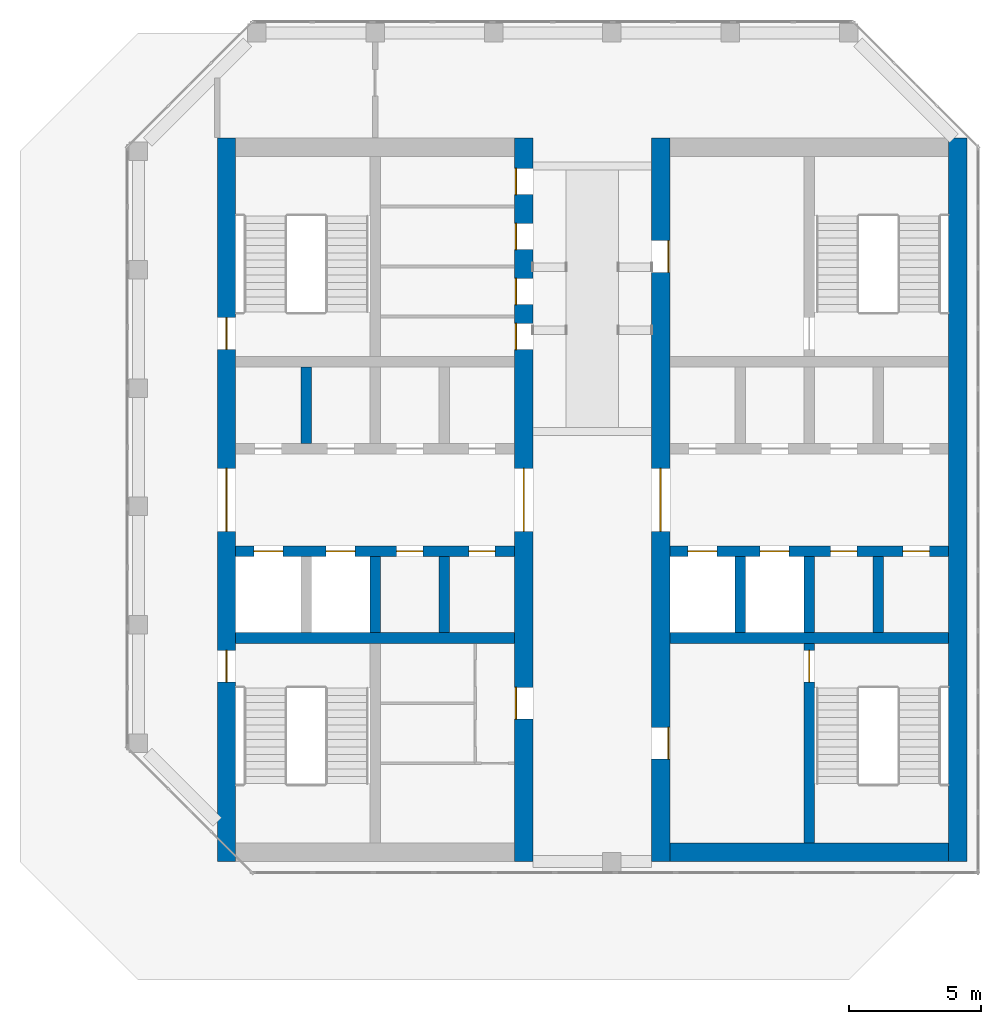
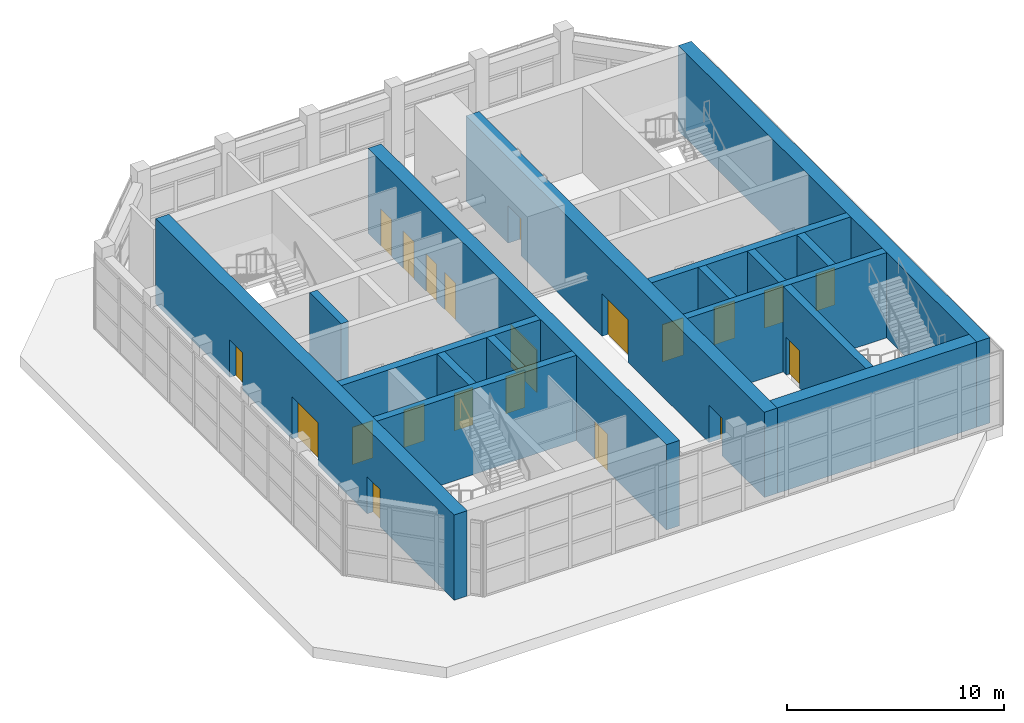
# One storey, part 10 of 13: 21 doors, 16 walls, 21 openings.
"""IFC4 building model written with IfcOpenShell, lengths in metres."""

from ifc_helpers import new_model, si_unit, direction, frame, frame_2d, origin, place, context, subcontext, project, spatial, rectangle, extrude, material, layer, layer_set, type_object, element, fill, save


model = new_model("IFC4")

# Units and contexts
model_context = context("Model", 3, precision=1e-05, world=origin(), true_north=direction((0.0, 1.0)))
body_context = subcontext(model_context, "Body", "Model", "MODEL_VIEW")
ifc_project = project(units=[si_unit("LENGTHUNIT", "METRE"), si_unit("AREAUNIT", "SQUARE_METRE"), si_unit("VOLUMEUNIT", "CUBIC_METRE"), si_unit("PLANEANGLEUNIT", "RADIAN"), si_unit("MASSUNIT", "GRAM", prefix="KILO")], contexts=[model_context])

# Site, building, storey
site_placement = place(None, origin())
site = spatial("IfcSite", under=ifc_project, at=site_placement, CompositionType="ELEMENT")
building_placement = place(site_placement, origin())
building = spatial("IfcBuilding", under=site, at=building_placement, Name="Corbel Stack Research Tower", CompositionType="ELEMENT")
storey_placement = place(building_placement, frame((0.0, 0.0, 311.800048828125)))
storey = spatial("IfcBuildingStorey", under=building, at=storey_placement, Name="L70", CompositionType="ELEMENT", Elevation=311.800048828125)

# Wall
ifc_material_1 = material(Name="Concrete C60/75", Category="concrete")
ifc_layer_1 = layer(ifc_material_1, 0.39990234375)
ifc_layer_set_1 = layer_set([ifc_layer_1], Name="Concrete C60/75")
wall_type_1 = type_object("IfcWallType", Name="CW-400-60", PredefinedType="SHEAR", material=ifc_layer_set_1)
wall_1_placement = place(storey_placement, frame((-9.800048828125, -0.5, 0.0), z_axis=(0.0, 0.0, 1.0), x_axis=(1.0, 0.0, 0.0)))
element("IfcWall", 1, at=wall_1_placement, inside=storey, type_object=wall_type_1, Name="West core wall, south row back L70", PredefinedType="SHEAR", context=body_context, shape_type="SweptSolid", body=[
    extrude(rectangle(XDim=10.60009765625, YDim=0.39990234375, at=frame_2d((5.300048828125, 0.0))), origin(), (0.0, 0.0, 1.0), 4.800048828125),
])

# Wall, openings, doors
wall_2_placement = place(storey_placement, frame((-9.800048828125, 2.800048828125, 0.0), z_axis=(0.0, 0.0, 1.0), x_axis=(1.0, 0.0, 0.0)))
wall_2 = element("IfcWall", 2, at=wall_2_placement, inside=storey, type_object=wall_type_1, Name="West core wall, lobby south L70", PredefinedType="SHEAR", context=body_context, shape_type="SweptSolid", body=[
    extrude(rectangle(XDim=10.60009765625, YDim=0.39990234375, at=frame_2d((5.300048828125, 0.0))), origin(), (0.0, 0.0, 1.0), 4.800048828125),
])
opening_1_placement = place(wall_2_placement, frame((0.6875, 0.0, 0.0)))
opening_1 = element("IfcOpeningElement", 3, at=opening_1_placement, cuts=wall_2, Name="Opening LD-FS1", PredefinedType="OPENING", context=body_context, shape_type="SweptSolid", body=[
    extrude(rectangle(XDim=1.10009765625, YDim=2.10009765625, at=frame_2d((0.550048828125, 1.050048828125))), frame((0.0, 0.2099609375, 0.0), z_axis=(0.0, -1.0, 0.0), x_axis=(1.0, 0.0, 0.0)), (0.0, 0.0, 1.0), 0.419921875),
])
opening_2_placement = place(wall_2_placement, frame((3.4375, 0.0, 0.0)))
opening_2 = element("IfcOpeningElement", 4, at=opening_2_placement, cuts=wall_2, Name="Opening LD-GL1", PredefinedType="OPENING", context=body_context, shape_type="SweptSolid", body=[
    extrude(rectangle(XDim=1.10009765625, YDim=2.10009765625, at=frame_2d((0.550048828125, 1.050048828125))), frame((0.0, 0.2099609375, 0.0), z_axis=(0.0, -1.0, 0.0), x_axis=(1.0, 0.0, 0.0)), (0.0, 0.0, 1.0), 0.419921875),
])
opening_3_placement = place(wall_2_placement, frame((6.112548828125, 0.0, 0.0)))
opening_3 = element("IfcOpeningElement", 5, at=opening_3_placement, cuts=wall_2, Name="Opening CR-W66-S3", PredefinedType="OPENING", context=body_context, shape_type="SweptSolid", body=[
    extrude(rectangle(XDim=1.0, YDim=2.10009765625, at=frame_2d((0.5, 1.050048828125))), frame((0.0, 0.2099609375, 0.0), z_axis=(0.0, -1.0, 0.0), x_axis=(1.0, 0.0, 0.0)), (0.0, 0.0, 1.0), 0.419921875),
])
opening_4_placement = place(wall_2_placement, frame((8.862548828125, 0.0, 0.0)))
opening_4 = element("IfcOpeningElement", 6, at=opening_4_placement, cuts=wall_2, Name="Opening CR-W66-S4", PredefinedType="OPENING", context=body_context, shape_type="SweptSolid", body=[
    extrude(rectangle(XDim=1.0, YDim=2.10009765625, at=frame_2d((0.5, 1.050048828125))), frame((0.0, 0.2099609375, 0.0), z_axis=(0.0, -1.0, 0.0), x_axis=(1.0, 0.0, 0.0)), (0.0, 0.0, 1.0), 0.419921875),
])
ifc_material_2 = material(Name="Stainless steel landing door", Category="steel")
door_type_1 = type_object("IfcDoorType", Name="Lift landing door 1100 x 2100", OperationType="DOUBLE_DOOR_SLIDING", PredefinedType="DOOR", material=ifc_material_2)
door_1_placement = place(opening_1_placement, origin())
door_1 = element("IfcDoor", 7, at=door_1_placement, inside=storey, type_object=door_type_1, Name="Landing door FS1", OperationType="DOUBLE_DOOR_SLIDING", OverallHeight=2.10009765625, OverallWidth=1.10009765625, PredefinedType="DOOR", context=body_context, shape_type="SweptSolid", body=[
    extrude(rectangle(XDim=1.10009765625, YDim=2.10009765625, at=frame_2d((0.550048828125, 1.050048828125))), frame((0.0, 0.02490234375, 0.0), z_axis=(0.0, -1.0, 0.0), x_axis=(1.0, 0.0, 0.0)), (0.0, 0.0, 1.0), 0.050048828125),
])
fill(opening_1, door_1)
door_2_placement = place(opening_2_placement, origin())
door_2 = element("IfcDoor", 8, at=door_2_placement, inside=storey, type_object=door_type_1, Name="Landing door GL1", OperationType="DOUBLE_DOOR_SLIDING", OverallHeight=2.10009765625, OverallWidth=1.10009765625, PredefinedType="DOOR", context=body_context, shape_type="SweptSolid", body=[
    extrude(rectangle(XDim=1.10009765625, YDim=2.10009765625, at=frame_2d((0.550048828125, 1.050048828125))), frame((0.0, 0.02490234375, 0.0), z_axis=(0.0, -1.0, 0.0), x_axis=(1.0, 0.0, 0.0)), (0.0, 0.0, 1.0), 0.050048828125),
])
fill(opening_2, door_2)
ifc_material_3 = material(Name="Painted steel door", Category="steel")
door_type_2 = type_object("IfcDoorType", Name="Service door 1000 x 2100 FD60 left hand", OperationType="SINGLE_SWING_LEFT", PredefinedType="DOOR", material=ifc_material_3)
door_3_placement = place(opening_3_placement, origin())
door_3 = element("IfcDoor", 9, at=door_3_placement, inside=storey, type_object=door_type_2, Name="Mechanical room door W core", OperationType="SINGLE_SWING_LEFT", OverallHeight=2.10009765625, OverallWidth=1.0, PredefinedType="DOOR", context=body_context, shape_type="SweptSolid", body=[
    extrude(rectangle(XDim=1.0, YDim=2.10009765625, at=frame_2d((0.5, 1.050048828125))), frame((0.0, 0.02490234375, 0.0), z_axis=(0.0, -1.0, 0.0), x_axis=(1.0, 0.0, 0.0)), (0.0, 0.0, 1.0), 0.050048828125),
])
fill(opening_3, door_3)
ifc_material_4 = material(Name="Painted steel door", Category="steel")
door_type_3 = type_object("IfcDoorType", Name="Service door 1000 x 2100 FD60 right hand", OperationType="SINGLE_SWING_RIGHT", PredefinedType="DOOR", material=ifc_material_4)
door_4_placement = place(opening_4_placement, origin())
door_4 = element("IfcDoor", 10, at=door_4_placement, inside=storey, type_object=door_type_3, Name="Mechanical room door W core", OperationType="SINGLE_SWING_RIGHT", OverallHeight=2.10009765625, OverallWidth=1.0, PredefinedType="DOOR", context=body_context, shape_type="SweptSolid", body=[
    extrude(rectangle(XDim=1.0, YDim=2.10009765625, at=frame_2d((0.5, 1.050048828125))), frame((0.0, 0.02490234375, 0.0), z_axis=(0.0, -1.0, 0.0), x_axis=(1.0, 0.0, 0.0)), (0.0, 0.0, 1.0), 0.050048828125),
])
fill(opening_4, door_4)

# Walls
for number, where, z_axis, x_axis, name in (
    (11, (-7.125, 6.89990234375, 0.0), (0.0, 0.0, 1.0), (0.0, 1.0, 0.0), "West core wall, north shaft 1 L70"),
    (12, (-4.5, -0.300048828125, 0.0), (0.0, 0.0, 1.0), (0.0, 1.0, 0.0), "West core wall, south shaft 2 L70"),
    (13, (-1.875, -0.300048828125, 0.0), (0.0, 0.0, 1.0), (0.0, 1.0, 0.0), "West core wall, south shaft 3 L70"),
):
    element("IfcWall", number, at=place(storey_placement, frame(where, z_axis=z_axis, x_axis=x_axis)), inside=storey, type_object=wall_type_1, Name=name, PredefinedType="SHEAR", context=body_context, shape_type="SweptSolid", body=[
        extrude(rectangle(XDim=2.900146484375, YDim=0.39990234375, at=frame_2d((1.4501953125, 0.0))), origin(), (0.0, 0.0, 1.0), 4.800048828125),
    ])
wall_3_placement = place(storey_placement, frame((6.699951171875, -0.5, 0.0), z_axis=(0.0, 0.0, 1.0), x_axis=(1.0, 0.0, 0.0)))
element("IfcWall", 14, at=wall_3_placement, inside=storey, type_object=wall_type_1, Name="East core wall, south row back L70", PredefinedType="SHEAR", context=body_context, shape_type="SweptSolid", body=[
    extrude(rectangle(XDim=10.60009765625, YDim=0.39990234375, at=frame_2d((5.300048828125, 0.0))), origin(), (0.0, 0.0, 1.0), 4.800048828125),
])

# Wall, openings, doors
wall_4_placement = place(storey_placement, frame((6.699951171875, 2.800048828125, 0.0), z_axis=(0.0, 0.0, 1.0), x_axis=(1.0, 0.0, 0.0)))
wall_4 = element("IfcWall", 15, at=wall_4_placement, inside=storey, type_object=wall_type_1, Name="East core wall, lobby south L70", PredefinedType="SHEAR", context=body_context, shape_type="SweptSolid", body=[
    extrude(rectangle(XDim=10.60009765625, YDim=0.39990234375, at=frame_2d((5.300048828125, 0.0))), origin(), (0.0, 0.0, 1.0), 4.800048828125),
])
opening_5_placement = place(wall_4_placement, frame((0.6875, 0.0, 0.0)))
opening_5 = element("IfcOpeningElement", 16, at=opening_5_placement, cuts=wall_4, Name="Opening LD-FS2", PredefinedType="OPENING", context=body_context, shape_type="SweptSolid", body=[
    extrude(rectangle(XDim=1.10009765625, YDim=2.10009765625, at=frame_2d((0.550048828125, 1.050048828125))), frame((0.0, 0.2099609375, 0.0), z_axis=(0.0, -1.0, 0.0), x_axis=(1.0, 0.0, 0.0)), (0.0, 0.0, 1.0), 0.419921875),
])
opening_6_placement = place(wall_4_placement, frame((3.4375, 0.0, 0.0)))
opening_6 = element("IfcOpeningElement", 17, at=opening_6_placement, cuts=wall_4, Name="Opening LD-GL2", PredefinedType="OPENING", context=body_context, shape_type="SweptSolid", body=[
    extrude(rectangle(XDim=1.10009765625, YDim=2.10009765625, at=frame_2d((0.550048828125, 1.050048828125))), frame((0.0, 0.2099609375, 0.0), z_axis=(0.0, -1.0, 0.0), x_axis=(1.0, 0.0, 0.0)), (0.0, 0.0, 1.0), 0.419921875),
])
opening_7_placement = place(wall_4_placement, frame((6.112548828125, 0.0, 0.0)))
opening_7 = element("IfcOpeningElement", 18, at=opening_7_placement, cuts=wall_4, Name="Opening CR-E66v-S3", PredefinedType="OPENING", context=body_context, shape_type="SweptSolid", body=[
    extrude(rectangle(XDim=1.0, YDim=2.10009765625, at=frame_2d((0.5, 1.050048828125))), frame((0.0, 0.2099609375, 0.0), z_axis=(0.0, -1.0, 0.0), x_axis=(1.0, 0.0, 0.0)), (0.0, 0.0, 1.0), 0.419921875),
])
opening_8_placement = place(wall_4_placement, frame((8.862548828125, 0.0, 0.0)))
opening_8 = element("IfcOpeningElement", 19, at=opening_8_placement, cuts=wall_4, Name="Opening CR-E66v-S4", PredefinedType="OPENING", context=body_context, shape_type="SweptSolid", body=[
    extrude(rectangle(XDim=1.0, YDim=2.10009765625, at=frame_2d((0.5, 1.050048828125))), frame((0.0, 0.2099609375, 0.0), z_axis=(0.0, -1.0, 0.0), x_axis=(1.0, 0.0, 0.0)), (0.0, 0.0, 1.0), 0.419921875),
])
door_5_placement = place(opening_5_placement, origin())
door_5 = element("IfcDoor", 20, at=door_5_placement, inside=storey, type_object=door_type_1, Name="Landing door FS2", OperationType="DOUBLE_DOOR_SLIDING", OverallHeight=2.10009765625, OverallWidth=1.10009765625, PredefinedType="DOOR", context=body_context, shape_type="SweptSolid", body=[
    extrude(rectangle(XDim=1.10009765625, YDim=2.10009765625, at=frame_2d((0.550048828125, 1.050048828125))), frame((0.0, 0.02490234375, 0.0), z_axis=(0.0, -1.0, 0.0), x_axis=(1.0, 0.0, 0.0)), (0.0, 0.0, 1.0), 0.050048828125),
])
fill(opening_5, door_5)
door_6_placement = place(opening_6_placement, origin())
door_6 = element("IfcDoor", 21, at=door_6_placement, inside=storey, type_object=door_type_1, Name="Landing door GL2", OperationType="DOUBLE_DOOR_SLIDING", OverallHeight=2.10009765625, OverallWidth=1.10009765625, PredefinedType="DOOR", context=body_context, shape_type="SweptSolid", body=[
    extrude(rectangle(XDim=1.10009765625, YDim=2.10009765625, at=frame_2d((0.550048828125, 1.050048828125))), frame((0.0, 0.02490234375, 0.0), z_axis=(0.0, -1.0, 0.0), x_axis=(1.0, 0.0, 0.0)), (0.0, 0.0, 1.0), 0.050048828125),
])
fill(opening_6, door_6)
door_7_placement = place(opening_7_placement, origin())
door_7 = element("IfcDoor", 22, at=door_7_placement, inside=storey, type_object=door_type_2, Name="Telecom room door E core", OperationType="SINGLE_SWING_LEFT", OverallHeight=2.10009765625, OverallWidth=1.0, PredefinedType="DOOR", context=body_context, shape_type="SweptSolid", body=[
    extrude(rectangle(XDim=1.0, YDim=2.10009765625, at=frame_2d((0.5, 1.050048828125))), frame((0.0, 0.02490234375, 0.0), z_axis=(0.0, -1.0, 0.0), x_axis=(1.0, 0.0, 0.0)), (0.0, 0.0, 1.0), 0.050048828125),
])
fill(opening_7, door_7)
door_8_placement = place(opening_8_placement, origin())
door_8 = element("IfcDoor", 23, at=door_8_placement, inside=storey, type_object=door_type_3, Name="Telecom room door E core", OperationType="SINGLE_SWING_RIGHT", OverallHeight=2.10009765625, OverallWidth=1.0, PredefinedType="DOOR", context=body_context, shape_type="SweptSolid", body=[
    extrude(rectangle(XDim=1.0, YDim=2.10009765625, at=frame_2d((0.5, 1.050048828125))), frame((0.0, 0.02490234375, 0.0), z_axis=(0.0, -1.0, 0.0), x_axis=(1.0, 0.0, 0.0)), (0.0, 0.0, 1.0), 0.050048828125),
])
fill(opening_8, door_8)

# Walls
for number, where, z_axis, x_axis, name in (
    (24, (9.375, -0.300048828125, 0.0), (0.0, 0.0, 1.0), (0.0, 1.0, 0.0), "East core wall, south shaft 1 L70"),
    (25, (12.0, -0.300048828125, 0.0), (0.0, 0.0, 1.0), (0.0, 1.0, 0.0), "East core wall, south shaft 2 L70"),
    (26, (14.625, -0.300048828125, 0.0), (0.0, 0.0, 1.0), (0.0, 1.0, 0.0), "East core wall, south shaft 3 L70"),
):
    element("IfcWall", number, at=place(storey_placement, frame(where, z_axis=z_axis, x_axis=x_axis)), inside=storey, type_object=wall_type_1, Name=name, PredefinedType="SHEAR", context=body_context, shape_type="SweptSolid", body=[
        extrude(rectangle(XDim=2.900146484375, YDim=0.39990234375, at=frame_2d((1.4501953125, 0.0))), origin(), (0.0, 0.0, 1.0), 4.800048828125),
    ])

# Wall, opening, door
wall_5_placement = place(storey_placement, frame((12.0, -8.300048828125, 0.0), z_axis=(0.0, 0.0, 1.0), x_axis=(0.0, 1.0, 0.0)))
wall_5 = element("IfcWall", 27, at=wall_5_placement, inside=storey, type_object=wall_type_1, Name="East core wall, south stair and WC L70", PredefinedType="SHEAR", context=body_context, shape_type="SweptSolid", body=[
    extrude(rectangle(XDim=7.60009765625, YDim=0.39990234375, at=frame_2d((3.800048828125, 0.0))), origin(), (0.0, 0.0, 1.0), 4.800048828125),
])
opening_9_placement = place(wall_5_placement, frame((6.125, 0.0, 0.0)))
opening_9 = element("IfcOpeningElement", 28, at=opening_9_placement, cuts=wall_5, Name="Opening SD-ST-E1", PredefinedType="OPENING", context=body_context, shape_type="SweptSolid", body=[
    extrude(rectangle(XDim=1.199951171875, YDim=2.10009765625, at=frame_2d((0.60009765625, 1.050048828125))), frame((0.0, 0.2099609375, 0.0), z_axis=(0.0, -1.0, 0.0), x_axis=(1.0, 0.0, 0.0)), (0.0, 0.0, 1.0), 0.419921875),
])
ifc_material_5 = material(Name="Painted steel fire door", Category="steel")
door_type_4 = type_object("IfcDoorType", Name="Stair door 1200 x 2100 FD90 right hand", OperationType="SINGLE_SWING_RIGHT", PredefinedType="DOOR", material=ifc_material_5)
door_9_placement = place(opening_9_placement, origin())
door_9 = element("IfcDoor", 29, at=door_9_placement, inside=storey, type_object=door_type_4, Name="Stair door ST-E1", OperationType="SINGLE_SWING_RIGHT", OverallHeight=2.10009765625, OverallWidth=1.199951171875, PredefinedType="DOOR", context=body_context, shape_type="SweptSolid", body=[
    extrude(rectangle(XDim=1.199951171875, YDim=2.10009765625, at=frame_2d((0.60009765625, 1.050048828125))), frame((0.0, 0.02490234375, 0.0), z_axis=(0.0, -1.0, 0.0), x_axis=(1.0, 0.0, 0.0)), (0.0, 0.0, 1.0), 0.050048828125),
])
fill(opening_9, door_9)

# Wall, openings, doors
ifc_material_6 = material(Name="Concrete C60/75", Category="concrete")
ifc_layer_2 = layer(ifc_material_6, 0.699951171875)
ifc_layer_set_2 = layer_set([ifc_layer_2], Name="Concrete C60/75")
wall_type_2 = type_object("IfcWallType", Name="CW-700-60", PredefinedType="SHEAR", material=ifc_layer_set_2)
wall_6_placement = place(storey_placement, frame((-10.14990234375, -9.0, 0.0), z_axis=(0.0, 0.0, 1.0), x_axis=(0.0, 1.0, 0.0)))
wall_6 = element("IfcWall", 30, at=wall_6_placement, inside=storey, type_object=wall_type_2, Name="West core wall, west face L70", PredefinedType="SHEAR", context=body_context, shape_type="SweptSolid", body=[
    extrude(rectangle(XDim=27.5, YDim=0.699951171875, at=frame_2d((13.75, 0.0))), origin(), (0.0, 0.0, 1.0), 4.800048828125),
])
opening_10_placement = place(wall_6_placement, frame((12.550048828125, 0.0, 0.0)))
opening_10 = element("IfcOpeningElement", 31, at=opening_10_placement, cuts=wall_6, Name="Opening CD-W-W", PredefinedType="OPENING", context=body_context, shape_type="SweptSolid", body=[
    extrude(rectangle(XDim=2.39990234375, YDim=2.39990234375, at=frame_2d((1.199951171875, 1.199951171875))), frame((0.0, 0.35986328125, 0.0), z_axis=(0.0, -1.0, 0.0), x_axis=(1.0, 0.0, 0.0)), (0.0, 0.0, 1.0), 0.719970703125),
])
opening_11_placement = place(wall_6_placement, frame((6.824951171875, 0.0, 0.0)))
opening_11 = element("IfcOpeningElement", 32, at=opening_11_placement, cuts=wall_6, Name="Opening SD-ST-W1", PredefinedType="OPENING", context=body_context, shape_type="SweptSolid", body=[
    extrude(rectangle(XDim=1.199951171875, YDim=2.10009765625, at=frame_2d((0.60009765625, 1.050048828125))), frame((0.0, 0.35986328125, 0.0), z_axis=(0.0, -1.0, 0.0), x_axis=(1.0, 0.0, 0.0)), (0.0, 0.0, 1.0), 0.719970703125),
])
opening_12_placement = place(wall_6_placement, frame((19.47509765625, 0.0, 0.0)))
opening_12 = element("IfcOpeningElement", 33, at=opening_12_placement, cuts=wall_6, Name="Opening SD-ST-W2", PredefinedType="OPENING", context=body_context, shape_type="SweptSolid", body=[
    extrude(rectangle(XDim=1.199951171875, YDim=2.10009765625, at=frame_2d((0.60009765625, 1.050048828125))), frame((0.0, 0.35986328125, 0.0), z_axis=(0.0, -1.0, 0.0), x_axis=(1.0, 0.0, 0.0)), (0.0, 0.0, 1.0), 0.719970703125),
])
ifc_material_7 = material(Name="Painted steel fire door", Category="steel")
door_type_5 = type_object("IfcDoorType", Name="Lobby door pair 2400 x 2400 FD30S", OperationType="DOUBLE_DOOR_DOUBLE_SWING", PredefinedType="DOOR", material=ifc_material_7)
door_10_placement = place(opening_10_placement, origin())
door_10 = element("IfcDoor", 34, at=door_10_placement, inside=storey, type_object=door_type_5, Name="Lift lobby door W core W", OperationType="DOUBLE_DOOR_DOUBLE_SWING", OverallHeight=2.39990234375, OverallWidth=2.39990234375, PredefinedType="DOOR", context=body_context, shape_type="SweptSolid", body=[
    extrude(rectangle(XDim=2.39990234375, YDim=2.39990234375, at=frame_2d((1.199951171875, 1.199951171875))), frame((0.0, 0.02490234375, 0.0), z_axis=(0.0, -1.0, 0.0), x_axis=(1.0, 0.0, 0.0)), (0.0, 0.0, 1.0), 0.050048828125),
])
fill(opening_10, door_10)
ifc_material_8 = material(Name="Painted steel fire door", Category="steel")
door_type_6 = type_object("IfcDoorType", Name="Stair door 1200 x 2100 FD90 left hand", OperationType="SINGLE_SWING_LEFT", PredefinedType="DOOR", material=ifc_material_8)
door_11_placement = place(opening_11_placement, origin())
door_11 = element("IfcDoor", 35, at=door_11_placement, inside=storey, type_object=door_type_6, Name="Stair door ST-W1", OperationType="SINGLE_SWING_LEFT", OverallHeight=2.10009765625, OverallWidth=1.199951171875, PredefinedType="DOOR", context=body_context, shape_type="SweptSolid", body=[
    extrude(rectangle(XDim=1.199951171875, YDim=2.10009765625, at=frame_2d((0.60009765625, 1.050048828125))), frame((0.0, 0.02490234375, 0.0), z_axis=(0.0, -1.0, 0.0), x_axis=(1.0, 0.0, 0.0)), (0.0, 0.0, 1.0), 0.050048828125),
])
fill(opening_11, door_11)
door_12_placement = place(opening_12_placement, origin())
door_12 = element("IfcDoor", 36, at=door_12_placement, inside=storey, type_object=door_type_6, Name="Stair door ST-W2", OperationType="SINGLE_SWING_LEFT", OverallHeight=2.10009765625, OverallWidth=1.199951171875, PredefinedType="DOOR", context=body_context, shape_type="SweptSolid", body=[
    extrude(rectangle(XDim=1.199951171875, YDim=2.10009765625, at=frame_2d((0.60009765625, 1.050048828125))), frame((0.0, 0.02490234375, 0.0), z_axis=(0.0, -1.0, 0.0), x_axis=(1.0, 0.0, 0.0)), (0.0, 0.0, 1.0), 0.050048828125),
])
fill(opening_12, door_12)

wall_7_placement = place(storey_placement, frame((1.14990234375, -9.0, 0.0), z_axis=(0.0, 0.0, 1.0), x_axis=(0.0, 1.0, 0.0)))
wall_7 = element("IfcWall", 37, at=wall_7_placement, inside=storey, type_object=wall_type_2, Name="West core wall, east face L70", PredefinedType="SHEAR", context=body_context, shape_type="SweptSolid", body=[
    extrude(rectangle(XDim=27.5, YDim=0.699951171875, at=frame_2d((13.75, 0.0))), origin(), (0.0, 0.0, 1.0), 4.800048828125),
])
opening_13_placement = place(wall_7_placement, frame((12.550048828125, 0.0, 0.0)))
opening_13 = element("IfcOpeningElement", 38, at=opening_13_placement, cuts=wall_7, Name="Opening CD-W-E", PredefinedType="OPENING", context=body_context, shape_type="SweptSolid", body=[
    extrude(rectangle(XDim=2.39990234375, YDim=2.39990234375, at=frame_2d((1.199951171875, 1.199951171875))), frame((0.0, 0.35986328125, 0.0), z_axis=(0.0, -1.0, 0.0), x_axis=(1.0, 0.0, 0.0)), (0.0, 0.0, 1.0), 0.719970703125),
])
opening_14_placement = place(wall_7_placement, frame((5.419921875, 0.0, 0.0)))
opening_14 = element("IfcOpeningElement", 39, at=opening_14_placement, cuts=wall_7, Name="Opening CR-W66-W1-1200", PredefinedType="OPENING", context=body_context, shape_type="SweptSolid", body=[
    extrude(rectangle(XDim=1.199951171875, YDim=2.10009765625, at=frame_2d((0.60009765625, 1.050048828125))), frame((0.0, 0.35986328125, 0.0), z_axis=(0.0, -1.0, 0.0), x_axis=(1.0, 0.0, 0.0)), (0.0, 0.0, 1.0), 0.719970703125),
])
opening_15_placement = place(wall_7_placement, frame((19.4599609375, 0.0, 0.0)))
opening_15 = element("IfcOpeningElement", 40, at=opening_15_placement, cuts=wall_7, Name="Opening CR-W66-R1-1000", PredefinedType="OPENING", context=body_context, shape_type="SweptSolid", body=[
    extrude(rectangle(XDim=1.0, YDim=2.10009765625, at=frame_2d((0.5, 1.050048828125))), frame((0.0, 0.35986328125, 0.0), z_axis=(0.0, -1.0, 0.0), x_axis=(1.0, 0.0, 0.0)), (0.0, 0.0, 1.0), 0.719970703125),
])
opening_16_placement = place(wall_7_placement, frame((21.169921875, 0.0, 0.0)))
opening_16 = element("IfcOpeningElement", 41, at=opening_16_placement, cuts=wall_7, Name="Opening CR-W66-R2-1000", PredefinedType="OPENING", context=body_context, shape_type="SweptSolid", body=[
    extrude(rectangle(XDim=1.0, YDim=2.10009765625, at=frame_2d((0.5, 1.050048828125))), frame((0.0, 0.35986328125, 0.0), z_axis=(0.0, -1.0, 0.0), x_axis=(1.0, 0.0, 0.0)), (0.0, 0.0, 1.0), 0.719970703125),
])
opening_17_placement = place(wall_7_placement, frame((23.260009765625, 0.0, 0.0)))
opening_17 = element("IfcOpeningElement", 42, at=opening_17_placement, cuts=wall_7, Name="Opening CR-W66-R3-1000", PredefinedType="OPENING", context=body_context, shape_type="SweptSolid", body=[
    extrude(rectangle(XDim=1.0, YDim=2.10009765625, at=frame_2d((0.5, 1.050048828125))), frame((0.0, 0.35986328125, 0.0), z_axis=(0.0, -1.0, 0.0), x_axis=(1.0, 0.0, 0.0)), (0.0, 0.0, 1.0), 0.719970703125),
])
opening_18_placement = place(wall_7_placement, frame((25.35009765625, 0.0, 0.0)))
opening_18 = element("IfcOpeningElement", 43, at=opening_18_placement, cuts=wall_7, Name="Opening CR-W66-R4-1000", PredefinedType="OPENING", context=body_context, shape_type="SweptSolid", body=[
    extrude(rectangle(XDim=1.0, YDim=2.10009765625, at=frame_2d((0.5, 1.050048828125))), frame((0.0, 0.35986328125, 0.0), z_axis=(0.0, -1.0, 0.0), x_axis=(1.0, 0.0, 0.0)), (0.0, 0.0, 1.0), 0.719970703125),
])
door_13_placement = place(opening_13_placement, origin())
door_13 = element("IfcDoor", 44, at=door_13_placement, inside=storey, type_object=door_type_5, Name="Lift lobby door W core E", OperationType="DOUBLE_DOOR_DOUBLE_SWING", OverallHeight=2.39990234375, OverallWidth=2.39990234375, PredefinedType="DOOR", context=body_context, shape_type="SweptSolid", body=[
    extrude(rectangle(XDim=2.39990234375, YDim=2.39990234375, at=frame_2d((1.199951171875, 1.199951171875))), frame((0.0, 0.02490234375, 0.0), z_axis=(0.0, -1.0, 0.0), x_axis=(1.0, 0.0, 0.0)), (0.0, 0.0, 1.0), 0.050048828125),
])
fill(opening_13, door_13)
ifc_material_9 = material(Name="Painted steel door", Category="steel")
door_type_7 = type_object("IfcDoorType", Name="Riser door 1000 x 2100 FD60 left hand", OperationType="SINGLE_SWING_LEFT", PredefinedType="DOOR", material=ifc_material_9)
door_14_placement = place(opening_15_placement, origin())
door_14 = element("IfcDoor", 45, at=door_14_placement, inside=storey, type_object=door_type_7, Name="Electrical riser door W core", OperationType="SINGLE_SWING_LEFT", OverallHeight=2.10009765625, OverallWidth=1.0, PredefinedType="DOOR", context=body_context, shape_type="SweptSolid", body=[
    extrude(rectangle(XDim=1.0, YDim=2.10009765625, at=frame_2d((0.5, 1.050048828125))), frame((0.0, 0.3251953125, 0.0), z_axis=(0.0, -1.0, 0.0), x_axis=(1.0, 0.0, 0.0)), (0.0, 0.0, 1.0), 0.050048828125),
])
fill(opening_15, door_14)
ifc_material_10 = material(Name="Painted steel door", Category="steel")
door_type_8 = type_object("IfcDoorType", Name="Riser door 1000 x 2100 FD60 right hand", OperationType="SINGLE_SWING_RIGHT", PredefinedType="DOOR", material=ifc_material_10)
door_15_placement = place(opening_16_placement, origin())
door_15 = element("IfcDoor", 46, at=door_15_placement, inside=storey, type_object=door_type_8, Name="Telecom room door W core", OperationType="SINGLE_SWING_RIGHT", OverallHeight=2.10009765625, OverallWidth=1.0, PredefinedType="DOOR", context=body_context, shape_type="SweptSolid", body=[
    extrude(rectangle(XDim=1.0, YDim=2.10009765625, at=frame_2d((0.5, 1.050048828125))), frame((0.0, 0.3251953125, 0.0), z_axis=(0.0, -1.0, 0.0), x_axis=(1.0, 0.0, 0.0)), (0.0, 0.0, 1.0), 0.050048828125),
])
fill(opening_16, door_15)
ifc_material_11 = material(Name="Painted steel door", Category="steel")
door_type_9 = type_object("IfcDoorType", Name="Service door 1000 x 2100 FD30 left hand", OperationType="SINGLE_SWING_LEFT", PredefinedType="DOOR", material=ifc_material_11)
door_16_placement = place(opening_17_placement, origin())
door_16 = element("IfcDoor", 47, at=door_16_placement, inside=storey, type_object=door_type_9, Name="Pantry door W core", OperationType="SINGLE_SWING_LEFT", OverallHeight=2.10009765625, OverallWidth=1.0, PredefinedType="DOOR", context=body_context, shape_type="SweptSolid", body=[
    extrude(rectangle(XDim=1.0, YDim=2.10009765625, at=frame_2d((0.5, 1.050048828125))), frame((0.0, 0.3251953125, 0.0), z_axis=(0.0, -1.0, 0.0), x_axis=(1.0, 0.0, 0.0)), (0.0, 0.0, 1.0), 0.050048828125),
])
fill(opening_17, door_16)
ifc_material_12 = material(Name="Painted steel door", Category="steel")
door_type_10 = type_object("IfcDoorType", Name="Service door 1000 x 2100 FD30 right hand", OperationType="SINGLE_SWING_RIGHT", PredefinedType="DOOR", material=ifc_material_12)
door_17_placement = place(opening_18_placement, origin())
door_17 = element("IfcDoor", 48, at=door_17_placement, inside=storey, type_object=door_type_10, Name="Cleaner's store door W core", OperationType="SINGLE_SWING_RIGHT", OverallHeight=2.10009765625, OverallWidth=1.0, PredefinedType="DOOR", context=body_context, shape_type="SweptSolid", body=[
    extrude(rectangle(XDim=1.0, YDim=2.10009765625, at=frame_2d((0.5, 1.050048828125))), frame((0.0, 0.3251953125, 0.0), z_axis=(0.0, -1.0, 0.0), x_axis=(1.0, 0.0, 0.0)), (0.0, 0.0, 1.0), 0.050048828125),
])
fill(opening_18, door_17)
ifc_material_13 = material(Name="Painted timber door", Category="wood")
door_type_11 = type_object("IfcDoorType", Name="WC door 1200 x 2100 left hand", OperationType="SINGLE_SWING_LEFT", PredefinedType="DOOR", material=ifc_material_13)
door_18_placement = place(opening_14_placement, origin())
door_18 = element("IfcDoor", 49, at=door_18_placement, inside=storey, type_object=door_type_11, Name="WC lobby door W core", OperationType="SINGLE_SWING_LEFT", OverallHeight=2.10009765625, OverallWidth=1.199951171875, PredefinedType="DOOR", context=body_context, shape_type="SweptSolid", body=[
    extrude(rectangle(XDim=1.199951171875, YDim=2.10009765625, at=frame_2d((0.60009765625, 1.050048828125))), frame((0.0, 0.3251953125, 0.0), z_axis=(0.0, -1.0, 0.0), x_axis=(1.0, 0.0, 0.0)), (0.0, 0.0, 1.0), 0.050048828125),
])
fill(opening_14, door_18)

wall_8_placement = place(storey_placement, frame((6.35009765625, -9.0, 0.0), z_axis=(0.0, 0.0, 1.0), x_axis=(0.0, 1.0, 0.0)))
wall_8 = element("IfcWall", 50, at=wall_8_placement, inside=storey, type_object=wall_type_2, Name="East core wall, west face L70", PredefinedType="SHEAR", context=body_context, shape_type="SweptSolid", body=[
    extrude(rectangle(XDim=27.5, YDim=0.699951171875, at=frame_2d((13.75, 0.0))), origin(), (0.0, 0.0, 1.0), 4.800048828125),
])
opening_19_placement = place(wall_8_placement, frame((12.550048828125, 0.0, 0.0)))
opening_19 = element("IfcOpeningElement", 51, at=opening_19_placement, cuts=wall_8, Name="Opening CD-E-W", PredefinedType="OPENING", context=body_context, shape_type="SweptSolid", body=[
    extrude(rectangle(XDim=2.39990234375, YDim=2.39990234375, at=frame_2d((1.199951171875, 1.199951171875))), frame((0.0, 0.35986328125, 0.0), z_axis=(0.0, -1.0, 0.0), x_axis=(1.0, 0.0, 0.0)), (0.0, 0.0, 1.0), 0.719970703125),
])
opening_20_placement = place(wall_8_placement, frame((3.89990234375, 0.0, 0.0)))
opening_20 = element("IfcOpeningElement", 52, at=opening_20_placement, cuts=wall_8, Name="Opening CR-E66v-W1-1200", PredefinedType="OPENING", context=body_context, shape_type="SweptSolid", body=[
    extrude(rectangle(XDim=1.199951171875, YDim=2.10009765625, at=frame_2d((0.60009765625, 1.050048828125))), frame((0.0, 0.35986328125, 0.0), z_axis=(0.0, -1.0, 0.0), x_axis=(1.0, 0.0, 0.0)), (0.0, 0.0, 1.0), 0.719970703125),
])
opening_21_placement = place(wall_8_placement, frame((22.39990234375, 0.0, 0.0)))
opening_21 = element("IfcOpeningElement", 53, at=opening_21_placement, cuts=wall_8, Name="Opening CR-E66v-R1-1200", PredefinedType="OPENING", context=body_context, shape_type="SweptSolid", body=[
    extrude(rectangle(XDim=1.199951171875, YDim=2.10009765625, at=frame_2d((0.60009765625, 1.050048828125))), frame((0.0, 0.35986328125, 0.0), z_axis=(0.0, -1.0, 0.0), x_axis=(1.0, 0.0, 0.0)), (0.0, 0.0, 1.0), 0.719970703125),
])
door_19_placement = place(opening_19_placement, origin())
door_19 = element("IfcDoor", 54, at=door_19_placement, inside=storey, type_object=door_type_5, Name="Lift lobby door E core W", OperationType="DOUBLE_DOOR_DOUBLE_SWING", OverallHeight=2.39990234375, OverallWidth=2.39990234375, PredefinedType="DOOR", context=body_context, shape_type="SweptSolid", body=[
    extrude(rectangle(XDim=2.39990234375, YDim=2.39990234375, at=frame_2d((1.199951171875, 1.199951171875))), frame((0.0, 0.02490234375, 0.0), z_axis=(0.0, -1.0, 0.0), x_axis=(1.0, 0.0, 0.0)), (0.0, 0.0, 1.0), 0.050048828125),
])
fill(opening_19, door_19)
ifc_material_14 = material(Name="Painted steel door", Category="steel")
door_type_12 = type_object("IfcDoorType", Name="Service door 1200 x 2100 FD60 right hand", OperationType="SINGLE_SWING_RIGHT", PredefinedType="DOOR", material=ifc_material_14)
door_20_placement = place(opening_20_placement, origin())
door_20 = element("IfcDoor", 55, at=door_20_placement, inside=storey, type_object=door_type_12, Name="Stair vestibule door E core", OperationType="SINGLE_SWING_RIGHT", OverallHeight=2.10009765625, OverallWidth=1.199951171875, PredefinedType="DOOR", context=body_context, shape_type="SweptSolid", body=[
    extrude(rectangle(XDim=1.199951171875, YDim=2.10009765625, at=frame_2d((0.60009765625, 1.050048828125))), frame((0.0, -0.27490234375, 0.0), z_axis=(0.0, -1.0, 0.0), x_axis=(1.0, 0.0, 0.0)), (0.0, 0.0, 1.0), 0.050048828125),
])
fill(opening_20, door_20)
door_21_placement = place(opening_21_placement, origin())
door_21 = element("IfcDoor", 56, at=door_21_placement, inside=storey, type_object=door_type_12, Name="Stair vestibule door E core", OperationType="SINGLE_SWING_RIGHT", OverallHeight=2.10009765625, OverallWidth=1.199951171875, PredefinedType="DOOR", context=body_context, shape_type="SweptSolid", body=[
    extrude(rectangle(XDim=1.199951171875, YDim=2.10009765625, at=frame_2d((0.60009765625, 1.050048828125))), frame((0.0, -0.27490234375, 0.0), z_axis=(0.0, -1.0, 0.0), x_axis=(1.0, 0.0, 0.0)), (0.0, 0.0, 1.0), 0.050048828125),
])
fill(opening_21, door_21)

# Walls
wall_9_placement = place(storey_placement, frame((17.64990234375, -9.0, 0.0), z_axis=(0.0, 0.0, 1.0), x_axis=(0.0, 1.0, 0.0)))
element("IfcWall", 57, at=wall_9_placement, inside=storey, type_object=wall_type_2, Name="East core wall, east face L70", PredefinedType="SHEAR", context=body_context, shape_type="SweptSolid", body=[
    extrude(rectangle(XDim=27.5, YDim=0.699951171875, at=frame_2d((13.75, 0.0))), origin(), (0.0, 0.0, 1.0), 4.800048828125),
])
wall_10_placement = place(storey_placement, frame((6.699951171875, -8.64990234375, 0.0), z_axis=(0.0, 0.0, 1.0), x_axis=(1.0, 0.0, 0.0)))
element("IfcWall", 58, at=wall_10_placement, inside=storey, type_object=wall_type_2, Name="East core wall, south end L70", PredefinedType="SHEAR", context=body_context, shape_type="SweptSolid", body=[
    extrude(rectangle(XDim=10.60009765625, YDim=0.699951171875, at=frame_2d((5.300048828125, 0.0))), origin(), (0.0, 0.0, 1.0), 4.800048828125),
])

save(model, "model.ifc")
